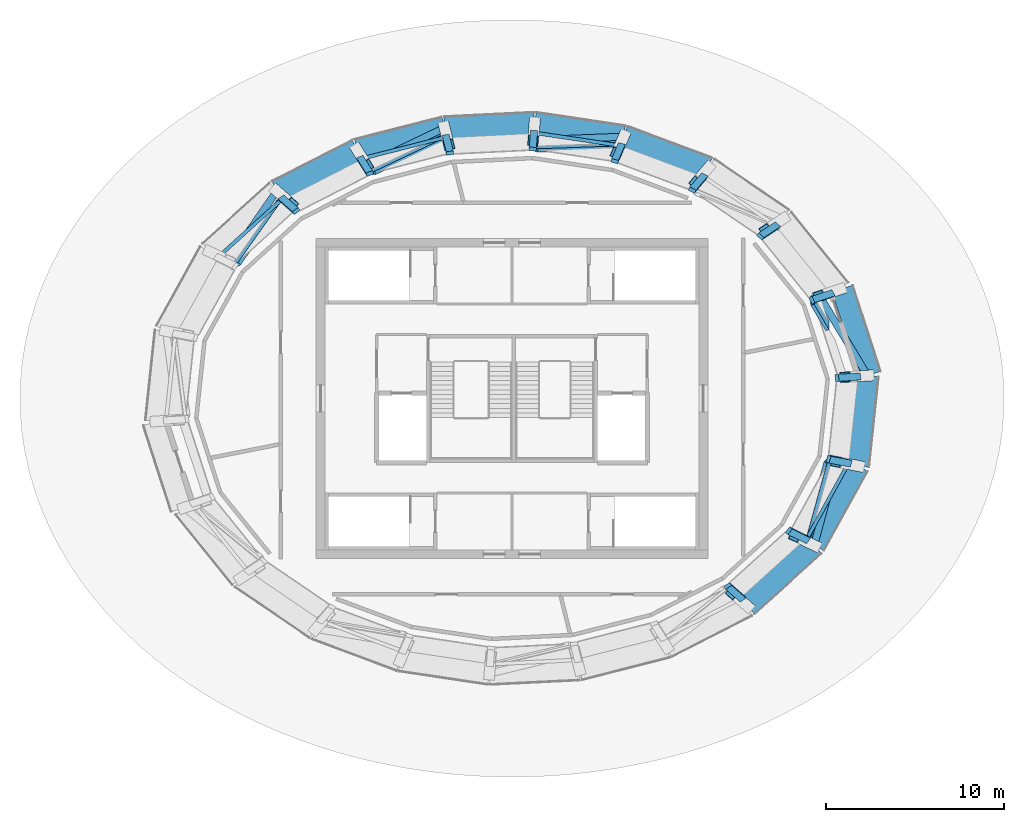
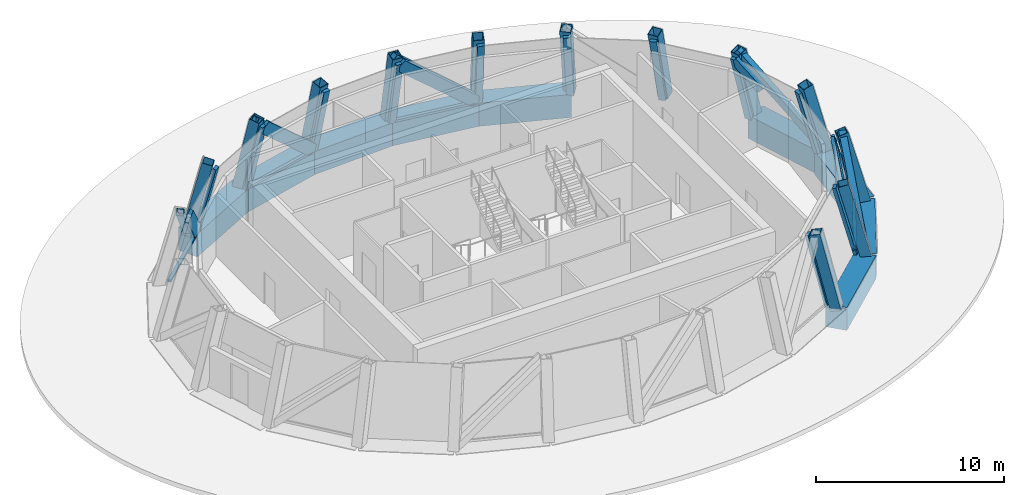
# One storey, part 2 of 9: 38 members, 9 beams, 1 element without a shape of its own.
"""IFC4 building model written with IfcOpenShell, lengths in metres."""

from ifc_helpers import new_model, si_unit, direction, frame, origin, origin_2d, place, context, subcontext, project, spatial, rectangle, hollow_rectangle, extrude, source, transform, mapped, material, material_profile, profile_set, type_object, element, aggregate, save


model = new_model("IFC4")

# Units and contexts
model_context = context("Model", 3, precision=1e-05, world=origin(), true_north=direction((0.0, 1.0)))
body_context = subcontext(model_context, "Body", "Model", "MODEL_VIEW")
ifc_project = project(units=[si_unit("LENGTHUNIT", "METRE"), si_unit("AREAUNIT", "SQUARE_METRE"), si_unit("VOLUMEUNIT", "CUBIC_METRE"), si_unit("PLANEANGLEUNIT", "RADIAN"), si_unit("MASSUNIT", "GRAM", prefix="KILO")], contexts=[model_context])

# Site, building, storey
site_placement = place(None, origin())
site = spatial("IfcSite", under=ifc_project, at=site_placement, CompositionType="ELEMENT")
building_placement = place(site_placement, origin())
building = spatial("IfcBuilding", under=site, at=building_placement, Name="Embergate Tower", CompositionType="ELEMENT")
storey_placement = place(building_placement, frame((0.0, 0.0, 352.0)))
storey = spatial("IfcBuildingStorey", under=building, at=storey_placement, Name="L80", CompositionType="ELEMENT", Elevation=352.0)

# Beams
ifc_material_1 = material(Name="Concrete C70", Category="concrete")
ifc_material_profile_1 = material_profile(ifc_material_1, rectangle(XDim=1.199951171875, YDim=1.5, at=origin_2d()), Name="RC 1200x1500")
ifc_profile_set_1 = profile_set([ifc_material_profile_1], Name="Concrete C70")
beam_type = type_object("IfcBeamType", Name="Crown cornice beam RC 1200x1500", PredefinedType="BEAM", material=ifc_profile_set_1)
shared_shape_1 = source(origin(), body_context, "Body", "SweptSolid", [
    extrude(rectangle(XDim=1.199951171875, YDim=1.5, at=origin_2d()), origin(), (0.0, 0.0, 1.0), 5.09375),
])
beam_1_placement = place(storey_placement, frame((20.114990234375, 1.327880859375, -0.75), z_axis=(-0.307414458882, 0.951575719777, 0.0), x_axis=(-0.951575719777, -0.307414458882, 0.0)))
element("IfcBeam", 1, at=beam_1_placement, inside=storey, type_object=beam_type, Name="CRN-L80-RB00", PredefinedType="BEAM", context=body_context, shape_type="MappedRepresentation", body=[
    mapped(shared_shape_1, transform((0.0, 0.0, 0.0))),
])
shared_shape_2 = source(origin(), body_context, "Body", "SweptSolid", [
    extrude(rectangle(XDim=1.199951171875, YDim=1.5, at=origin_2d()), origin(), (0.0, 0.0, 1.0), 5.064453125),
])
beam_2_placement = place(storey_placement, frame((11.01708984375, 12.93701171875, -0.75), z_axis=(-0.93693793686, 0.349495783198, 0.0), x_axis=(-0.349495783198, -0.93693793686, 0.0)))
element("IfcBeam", 2, at=beam_2_placement, inside=storey, type_object=beam_type, Name="CRN-L80-RB03", PredefinedType="BEAM", context=body_context, shape_type="MappedRepresentation", body=[
    mapped(shared_shape_2, transform((0.0, 0.0, 0.0))),
])
shared_shape_3 = source(origin(), body_context, "Body", "SweptSolid", [
    extrude(rectangle(XDim=1.199951171875, YDim=1.5, at=origin_2d()), origin(), (0.0, 0.0, 1.0), 5.06103515625),
])
beam_3_placement = place(storey_placement, frame((6.27197265625, 14.70703125, -0.75), z_axis=(-0.989081652244, 0.147368535291, 0.0), x_axis=(-0.147368535291, -0.989081652244, 0.0)))
element("IfcBeam", 3, at=beam_3_placement, inside=storey, type_object=beam_type, Name="CRN-L80-RB04", PredefinedType="BEAM", context=body_context, shape_type="MappedRepresentation", body=[
    mapped(shared_shape_3, transform((0.0, 0.0, 0.0))),
])
shared_shape_4 = source(origin(), body_context, "Body", "SweptSolid", [
    extrude(rectangle(XDim=1.199951171875, YDim=1.5, at=origin_2d()), origin(), (0.0, 0.0, 1.0), 5.059326171875),
])
beam_4_placement = place(storey_placement, frame((1.26611328125, 15.452880859375, -0.75), z_axis=(-0.998799774364, -0.04897969712, 0.0), x_axis=(0.04897969712, -0.998799774364, 0.0)))
element("IfcBeam", 4, at=beam_4_placement, inside=storey, type_object=beam_type, Name="CRN-L80-RB05", PredefinedType="BEAM", context=body_context, shape_type="MappedRepresentation", body=[
    mapped(shared_shape_4, transform((0.0, 0.0, 0.0))),
])
shared_shape_5 = source(origin(), body_context, "Body", "SweptSolid", [
    extrude(rectangle(XDim=1.199951171875, YDim=1.5, at=origin_2d()), origin(), (0.0, 0.0, 1.0), 5.06201171875),
])
beam_5_placement = place(storey_placement, frame((-3.787109375, 15.205078125, -0.75), z_axis=(-0.968921891841, -0.247366868256, 0.0), x_axis=(0.247366868256, -0.968921891841, 0.0)))
element("IfcBeam", 5, at=beam_5_placement, inside=storey, type_object=beam_type, Name="CRN-L80-RB06", PredefinedType="BEAM", context=body_context, shape_type="MappedRepresentation", body=[
    mapped(shared_shape_5, transform((0.0, 0.0, 0.0))),
])
shared_shape_6 = source(origin(), body_context, "Body", "SweptSolid", [
    extrude(rectangle(XDim=1.199951171875, YDim=1.5, at=origin_2d()), origin(), (0.0, 0.0, 1.0), 5.069091796875),
])
beam_6_placement = place(storey_placement, frame((-8.69189453125, 13.952880859375, -0.75), z_axis=(-0.890736799748, -0.454519475463, 0.0), x_axis=(0.454519475463, -0.890736799748, 0.0)))
element("IfcBeam", 6, at=beam_6_placement, inside=storey, type_object=beam_type, Name="CRN-L80-RB07", PredefinedType="BEAM", context=body_context, shape_type="MappedRepresentation", body=[
    mapped(shared_shape_6, transform((0.0, 0.0, 0.0))),
])
shared_shape_7 = source(origin(), body_context, "Body", "SweptSolid", [
    extrude(rectangle(XDim=1.199951171875, YDim=1.5, at=origin_2d()), origin(), (0.0, 0.0, 1.0), 5.078125),
])
beam_7_placement = place(storey_placement, frame((13.20703125, -11.64892578125, -0.75), z_axis=(0.741193992768, 0.671290894534, 0.0), x_axis=(-0.671290894534, 0.741193992768, 0.0)))
element("IfcBeam", 7, at=beam_7_placement, inside=storey, type_object=beam_type, Name="CRN-L80-RB19", PredefinedType="BEAM", context=body_context, shape_type="MappedRepresentation", body=[
    mapped(shared_shape_7, transform((0.0, 0.0, 0.0))),
])
shared_shape_8 = source(origin(), body_context, "Body", "SweptSolid", [
    extrude(rectangle(XDim=1.199951171875, YDim=1.5, at=origin_2d()), origin(), (0.0, 0.0, 1.0), 5.08935546875),
])
beam_8_placement = place(storey_placement, frame((16.970947265625, -8.239990234375, -0.75), z_axis=(0.483788616394, 0.875184880267, 0.0), x_axis=(-0.875184880267, 0.483788616394, 0.0)))
element("IfcBeam", 8, at=beam_8_placement, inside=storey, type_object=beam_type, Name="CRN-L80-RB20", PredefinedType="BEAM", context=body_context, shape_type="MappedRepresentation", body=[
    mapped(shared_shape_8, transform((0.0, 0.0, 0.0))),
])
shared_shape_9 = source(origin(), body_context, "Body", "SweptSolid", [
    extrude(rectangle(XDim=1.199951171875, YDim=1.5, at=origin_2d()), origin(), (0.0, 0.0, 1.0), 5.096435546875),
])
beam_9_placement = place(storey_placement, frame((19.43310546875, -3.785888671875, -0.75), z_axis=(0.105724576616, 0.994395451468, 0.0), x_axis=(-0.994395451468, 0.105724576616, 0.0)))
element("IfcBeam", 9, at=beam_9_placement, inside=storey, type_object=beam_type, Name="CRN-L80-RB21", PredefinedType="BEAM", context=body_context, shape_type="MappedRepresentation", body=[
    mapped(shared_shape_9, transform((0.0, 0.0, 0.0))),
])

# Members
ifc_material_2 = material(Name="Steel Q355D", Category="steel")
ifc_material_profile_2 = material_profile(ifc_material_2, hollow_rectangle(XDim=0.60009765625, YDim=0.60009765625, WallThickness=0.028076171875, at=origin_2d()), Name="BOX 600x600x28")
ifc_profile_set_2 = profile_set([ifc_material_profile_2], Name="Steel Q355 grade D")
member_type_1 = type_object("IfcMemberType", Name="Glass point hip BOX 600x600x28", PredefinedType="MEMBER", material=ifc_profile_set_2)
shared_shape_10 = source(origin(), body_context, "Body", "SweptSolid", [
    extrude(hollow_rectangle(XDim=0.60009765625, YDim=0.60009765625, WallThickness=0.028076171875, at=origin_2d()), origin(), (0.0, 0.0, 1.0), 4.964111328125),
])
member_1_placement = place(storey_placement, frame((20.010986328125, 1.284912109375, -0.14501953125), z_axis=(-0.261892630484, -0.017115236696, 0.964945241333), x_axis=(0.065213001989, -0.997871366646, 0.0)))
element("IfcMember", 10, at=member_1_placement, inside=storey, type_object=member_type_1, Name="CRN-L80-HP00", PredefinedType="MEMBER", context=body_context, shape_type="MappedRepresentation", body=[
    mapped(shared_shape_10, transform((0.0, 0.0, 0.0))),
])
ifc_material_profile_3 = material_profile(ifc_material_2, hollow_rectangle(XDim=0.39990234375, YDim=0.39990234375, WallThickness=0.02197265625, at=origin_2d()), Name="BOX 400x400x22")
ifc_profile_set_3 = profile_set([ifc_material_profile_3], Name="Steel Q355 grade D")
member_type_2 = type_object("IfcMemberType", Name="Glass point brace BOX 400x400x22", PredefinedType="BRACE", material=ifc_profile_set_3)
shared_shape_11 = source(origin(), body_context, "Body", "SweptSolid", [
    extrude(hollow_rectangle(XDim=0.39990234375, YDim=0.39990234375, WallThickness=0.02197265625, at=origin_2d()), origin(), (0.0, 0.0, 1.0), 7.19140625),
])
member_2_placement = place(storey_placement, frame((20.031005859375, 1.18505859375, -0.097900390625), z_axis=(-0.390892906822, 0.648704330688, 0.652981949783), x_axis=(-0.856518423568, -0.516116450124, 0.0)))
element("IfcMember", 11, at=member_2_placement, inside=storey, type_object=member_type_2, Name="CRN-L80-DG00", PredefinedType="BRACE", context=body_context, shape_type="MappedRepresentation", body=[
    mapped(shared_shape_11, transform((0.0, 0.0, 0.0))),
])
shared_shape_12 = source(origin(), body_context, "Body", "SweptSolid", [
    extrude(hollow_rectangle(XDim=0.60009765625, YDim=0.60009765625, WallThickness=0.028076171875, at=origin_2d()), origin(), (0.0, 0.0, 1.0), 4.9541015625),
])
member_3_placement = place(storey_placement, frame((18.44189453125, 6.14111328125, -0.14501953125), z_axis=(-0.242021443218, -0.080772377405, 0.96690301689), x_axis=(0.316575417601, -0.948567343403, 0.0)))
element("IfcMember", 12, at=member_3_placement, inside=storey, type_object=member_type_1, Name="CRN-L80-HP01", PredefinedType="MEMBER", context=body_context, shape_type="MappedRepresentation", body=[
    mapped(shared_shape_12, transform((0.0, 0.0, 0.0))),
])
shared_shape_13 = source(origin(), body_context, "Body", "SweptSolid", [
    extrude(hollow_rectangle(XDim=0.60009765625, YDim=0.60009765625, WallThickness=0.028076171875, at=origin_2d()), origin(), (0.0, 0.0, 1.0), 4.937255859375),
])
member_4_placement = place(storey_placement, frame((15.241943359375, 10.10400390625, -0.14599609375), z_axis=(-0.200710682198, -0.133065396845, 0.97057138955), x_axis=(0.552566012863, -0.833469136459, 0.0)))
element("IfcMember", 13, at=member_4_placement, inside=storey, type_object=member_type_1, Name="CRN-L80-HP02", PredefinedType="MEMBER", context=body_context, shape_type="MappedRepresentation", body=[
    mapped(shared_shape_13, transform((0.0, 0.0, 0.0))),
])
shared_shape_14 = source(origin(), body_context, "Body", "SweptSolid", [
    extrude(hollow_rectangle(XDim=0.60009765625, YDim=0.60009765625, WallThickness=0.028076171875, at=origin_2d()), origin(), (0.0, 0.0, 1.0), 4.918701171875),
])
member_5_placement = place(storey_placement, frame((11.0390625, 12.962890625, -0.14599609375), z_axis=(-0.145979805997, -0.171790584344, 0.974257610374), x_axis=(0.762031662807, -0.647539763165, 0.0)))
element("IfcMember", 14, at=member_5_placement, inside=storey, type_object=member_type_1, Name="CRN-L80-HP03", PredefinedType="MEMBER", context=body_context, shape_type="MappedRepresentation", body=[
    mapped(shared_shape_14, transform((0.0, 0.0, 0.0))),
])
shared_shape_15 = source(origin(), body_context, "Body", "SweptSolid", [
    extrude(hollow_rectangle(XDim=0.60009765625, YDim=0.60009765625, WallThickness=0.028076171875, at=origin_2d()), origin(), (0.0, 0.0, 1.0), 4.906005859375),
])
member_6_placement = place(storey_placement, frame((6.284912109375, 14.736083984375, -0.14697265625), z_axis=(-0.083555162071, -0.195277222137, 0.977182348083), x_axis=(0.919375128815, -0.393381967706, 0.0)))
element("IfcMember", 15, at=member_6_placement, inside=storey, type_object=member_type_1, Name="CRN-L80-HP04", PredefinedType="MEMBER", context=body_context, shape_type="MappedRepresentation", body=[
    mapped(shared_shape_15, transform((0.0, 0.0, 0.0))),
])
shared_shape_16 = source(origin(), body_context, "Body", "SweptSolid", [
    extrude(hollow_rectangle(XDim=0.39990234375, YDim=0.39990234375, WallThickness=0.02197265625, at=origin_2d()), origin(), (0.0, 0.0, 1.0), 7.091064453125),
])
member_7_placement = place(storey_placement, frame((6.384033203125, 14.7109375, -0.09912109375), z_axis=(-0.748431042054, -0.02933403477, 0.662563574077), x_axis=(0.039163968326, -0.999232797493, 0.0)))
element("IfcMember", 16, at=member_7_placement, inside=storey, type_object=member_type_2, Name="CRN-L80-DG04", PredefinedType="BRACE", context=body_context, shape_type="MappedRepresentation", body=[
    mapped(shared_shape_16, transform((0.0, 0.0, 0.0))),
])
shared_shape_17 = source(origin(), body_context, "Body", "SweptSolid", [
    extrude(hollow_rectangle(XDim=0.60009765625, YDim=0.60009765625, WallThickness=0.028076171875, at=origin_2d()), origin(), (0.0, 0.0, 1.0), 4.8994140625),
])
member_8_placement = place(storey_placement, frame((1.26904296875, 15.48388671875, -0.14697265625), z_axis=(-0.016942314745, -0.205699633137, 0.978468506851), x_axis=(0.996625218581, -0.082086379437, 0.0)))
element("IfcMember", 17, at=member_8_placement, inside=storey, type_object=member_type_1, Name="CRN-L80-HP05", PredefinedType="MEMBER", context=body_context, shape_type="MappedRepresentation", body=[
    mapped(shared_shape_17, transform((0.0, 0.0, 0.0))),
])
shared_shape_18 = source(origin(), body_context, "Body", "SweptSolid", [
    extrude(hollow_rectangle(XDim=0.60009765625, YDim=0.60009765625, WallThickness=0.028076171875, at=origin_2d()), origin(), (0.0, 0.0, 1.0), 4.901611328125),
])
member_9_placement = place(storey_placement, frame((-3.794921875, 15.235107421875, -0.14697265625), z_axis=(0.050555337274, -0.202221349098, 0.97803409135), x_axis=(0.970142500145, 0.242535625036, 0.0)))
element("IfcMember", 18, at=member_9_placement, inside=storey, type_object=member_type_1, Name="CRN-L80-HP06", PredefinedType="MEMBER", context=body_context, shape_type="MappedRepresentation", body=[
    mapped(shared_shape_18, transform((0.0, 0.0, 0.0))),
])
shared_shape_19 = source(origin(), body_context, "Body", "SweptSolid", [
    extrude(hollow_rectangle(XDim=0.39990234375, YDim=0.39990234375, WallThickness=0.02197265625, at=origin_2d()), origin(), (0.0, 0.0, 1.0), 6.9189453125),
])
member_10_placement = place(storey_placement, frame((-3.68798828125, 15.2529296875, -0.10205078125), z_axis=(-0.660659066049, -0.318244091048, 0.679889915325), x_axis=(0.433980543211, -0.900922243101, 0.0)))
element("IfcMember", 19, at=member_10_placement, inside=storey, type_object=member_type_2, Name="CRN-L80-DG06", PredefinedType="BRACE", context=body_context, shape_type="MappedRepresentation", body=[
    mapped(shared_shape_19, transform((0.0, 0.0, 0.0))),
])
shared_shape_20 = source(origin(), body_context, "Body", "SweptSolid", [
    extrude(hollow_rectangle(XDim=0.60009765625, YDim=0.60009765625, WallThickness=0.028076171875, at=origin_2d()), origin(), (0.0, 0.0, 1.0), 4.910400390625),
])
member_11_placement = place(storey_placement, frame((-8.708984375, 13.98095703125, -0.14599609375), z_axis=(0.115250372801, -0.185305495872, 0.97589918781), x_axis=(0.849161057944, 0.528133977009, 0.0)))
element("IfcMember", 20, at=member_11_placement, inside=storey, type_object=member_type_1, Name="CRN-L80-HP07", PredefinedType="MEMBER", context=body_context, shape_type="MappedRepresentation", body=[
    mapped(shared_shape_20, transform((0.0, 0.0, 0.0))),
])
shared_shape_21 = source(origin(), body_context, "Body", "SweptSolid", [
    extrude(hollow_rectangle(XDim=0.60009765625, YDim=0.60009765625, WallThickness=0.028076171875, at=origin_2d()), origin(), (0.0, 0.0, 1.0), 4.927490234375),
])
for number, where, z_axis, x_axis, name in (
    (21, (-13.23291015625, 11.672119140625, -0.14599609375), (0.174700741221, -0.154039876476, 0.9724974897), (0.661361278395, 0.750067503255, 0.0), "CRN-L80-HP08"),
    (22, (13.23291015625, -11.672119140625, -0.14599609375), (-0.174700741221, 0.154039876476, 0.9724974897), (-0.661361278395, -0.750067503255, 0.0), "CRN-L80-HP19"),
):
    element("IfcMember", number, at=place(storey_placement, frame(where, z_axis=z_axis, x_axis=x_axis)), inside=storey, type_object=member_type_1, Name=name, PredefinedType="MEMBER", context=body_context, shape_type="MappedRepresentation", body=[
        mapped(shared_shape_21, transform((0.0, 0.0, 0.0))),
    ])
shared_shape_22 = source(origin(), body_context, "Body", "SweptSolid", [
    extrude(hollow_rectangle(XDim=0.39990234375, YDim=0.39990234375, WallThickness=0.02197265625, at=origin_2d()), origin(), (0.0, 0.0, 1.0), 6.857421875),
])
member_12_placement = place(storey_placement, frame((-13.14501953125, 11.739013671875, -0.10302734375), z_axis=(-0.415446067722, -0.597019034162, 0.686274608056), x_axis=(0.820822385508, -0.571183518188, 0.0)))
element("IfcMember", 23, at=member_12_placement, inside=storey, type_object=member_type_2, Name="CRN-L80-DG08", PredefinedType="BRACE", context=body_context, shape_type="MappedRepresentation", body=[
    mapped(shared_shape_22, transform((0.0, 0.0, 0.0))),
])
shared_shape_23 = source(origin(), body_context, "Body", "SweptSolid", [
    extrude(hollow_rectangle(XDim=0.60009765625, YDim=0.60009765625, WallThickness=0.028076171875, at=origin_2d()), origin(), (0.0, 0.0, 1.0), 4.945556640625),
])
member_13_placement = place(storey_placement, frame((17.0048828125, -8.256103515625, -0.14501953125), z_axis=(-0.223825088723, 0.108605027611, 0.968559382607), x_axis=(-0.436546124965, -0.899681877542, 0.0)))
element("IfcMember", 24, at=member_13_placement, inside=storey, type_object=member_type_1, Name="CRN-L80-HP20", PredefinedType="MEMBER", context=body_context, shape_type="MappedRepresentation", body=[
    mapped(shared_shape_23, transform((0.0, 0.0, 0.0))),
])
shared_shape_24 = source(origin(), body_context, "Body", "SweptSolid", [
    extrude(hollow_rectangle(XDim=0.60009765625, YDim=0.60009765625, WallThickness=0.028076171875, at=origin_2d()), origin(), (0.0, 0.0, 1.0), 4.96044921875),
])
member_14_placement = place(storey_placement, frame((19.470947265625, -3.79296875, -0.14501953125), z_axis=(-0.255001720994, 0.049563160209, 0.965669516677), x_axis=(-0.190793589866, -0.98163017785, 0.0)))
element("IfcMember", 25, at=member_14_placement, inside=storey, type_object=member_type_1, Name="CRN-L80-HP21", PredefinedType="MEMBER", context=body_context, shape_type="MappedRepresentation", body=[
    mapped(shared_shape_24, transform((0.0, 0.0, 0.0))),
])
shared_shape_25 = source(origin(), body_context, "Body", "SweptSolid", [
    extrude(hollow_rectangle(XDim=0.39990234375, YDim=0.39990234375, WallThickness=0.02197265625, at=origin_2d()), origin(), (0.0, 0.0, 1.0), 6.920166015625),
])
member_15_placement = place(storey_placement, frame((16.94189453125, -8.345947265625, -0.10205078125), z_axis=(0.192341342703, 0.70776816165, 0.679756601469), x_axis=(-0.965000972687, 0.262246301619, 0.0)))
element("IfcMember", 26, at=member_15_placement, inside=storey, type_object=member_type_2, Name="CRN-L80-DG20", PredefinedType="BRACE", context=body_context, shape_type="MappedRepresentation", body=[
    mapped(shared_shape_25, transform((0.0, 0.0, 0.0))),
])

# Curtain wall, members
ifc_material_3 = material(Name="Aluminium and glass", Category="aluminium")
curtain_wall_type = type_object("IfcCurtainWallType", Name="Crown facet glazing", PredefinedType="NOTDEFINED", material=ifc_material_3)
curtain_wall_placement = place(storey_placement, origin())
curtain_wall = element("IfcCurtainWall", 27, at=curtain_wall_placement, inside=storey, type_object=curtain_wall_type, Name="Crown facet glazing L80", ObjectType="CROWN FACET GLAZING", PredefinedType="USERDEFINED")
ifc_material_4 = material(Name="Aluminium, thermally broken", Category="aluminium")
ifc_material_profile_4 = material_profile(ifc_material_4, rectangle(XDim=0.199951171875, YDim=0.39990234375, at=origin_2d()), Name="AL 400x200")
ifc_profile_set_4 = profile_set([ifc_material_profile_4], Name="Aluminium, thermally broken")
member_type_3 = type_object("IfcMemberType", Name="Crown hip mullion", PredefinedType="MULLION", material=ifc_profile_set_4)
shared_shape_26 = source(origin(), body_context, "Body", "SweptSolid", [
    extrude(rectangle(XDim=0.199951171875, YDim=0.39990234375, at=origin_2d()), origin(), (0.0, 0.0, 1.0), 4.66357421875),
])
member_16_placement = place(storey_placement, frame((19.482177734375, 1.231201171875, -0.1337890625), z_axis=(-0.262060611369, -0.016961174208, 0.964902354924), x_axis=(0.959792447084, 0.099658345996, 0.262424603635)))
member_16 = element("IfcMember", 28, at=member_16_placement, type_object=member_type_3, Name="CW hip 1", PredefinedType="MULLION", context=body_context, shape_type="MappedRepresentation", body=[
    mapped(shared_shape_26, transform((0.0, 0.0, 0.0))),
])
ifc_material_profile_5 = material_profile(ifc_material_4, rectangle(XDim=0.199951171875, YDim=0.760009765625, at=origin_2d()), Name="AL 760x200")
ifc_profile_set_5 = profile_set([ifc_material_profile_5], Name="Aluminium, thermally broken")
member_type_4 = type_object("IfcMemberType", Name="Crown diagonal cover mullion", PredefinedType="MULLION", material=ifc_profile_set_5)
shared_shape_27 = source(origin(), body_context, "Body", "SweptSolid", [
    extrude(rectangle(XDim=0.199951171875, YDim=0.760009765625, at=origin_2d()), origin(), (0.0, 0.0, 1.0), 2.1689453125),
])
member_17_placement = place(storey_placement, frame((17.714111328125, 4.097900390625, 2.89990234375), z_axis=(-0.391031934446, 0.658135786041, 0.643390482814), x_axis=(0.920081416483, 0.297244630451, 0.255138818512)))
member_17 = element("IfcMember", 29, at=member_17_placement, type_object=member_type_4, Name="CW diagonal mullion 1", PredefinedType="MULLION", context=body_context, shape_type="MappedRepresentation", body=[
    mapped(shared_shape_27, transform((0.0, 0.0, 0.0))),
])
shared_shape_28 = source(origin(), body_context, "Body", "SweptSolid", [
    extrude(rectangle(XDim=0.199951171875, YDim=0.39990234375, at=origin_2d()), origin(), (0.0, 0.0, 1.0), 4.654296875),
])
member_18_placement = place(storey_placement, frame((17.9736328125, 5.89501953125, -0.127685546875), z_axis=(-0.242136875155, -0.080834689041, 0.966868908766), x_axis=(0.850965399, 0.46100824883, 0.251653102931)))
member_18 = element("IfcMember", 30, at=member_18_placement, type_object=member_type_3, Name="CW hip 2", PredefinedType="MULLION", context=body_context, shape_type="MappedRepresentation", body=[
    mapped(shared_shape_28, transform((0.0, 0.0, 0.0))),
])
shared_shape_29 = source(origin(), body_context, "Body", "SweptSolid", [
    extrude(rectangle(XDim=0.199951171875, YDim=0.39990234375, at=origin_2d()), origin(), (0.0, 0.0, 1.0), 4.636474609375),
])
member_19_placement = place(storey_placement, frame((14.87939453125, 9.72265625, -0.118408203125), z_axis=(-0.200777857695, -0.133062063046, 0.970557952539), x_axis=(0.658429670008, 0.715254200154, 0.234268646676)))
member_19 = element("IfcMember", 31, at=member_19_placement, type_object=member_type_3, Name="CW hip 3", PredefinedType="MULLION", context=body_context, shape_type="MappedRepresentation", body=[
    mapped(shared_shape_29, transform((0.0, 0.0, 0.0))),
])
shared_shape_30 = source(origin(), body_context, "Body", "SweptSolid", [
    extrude(rectangle(XDim=0.199951171875, YDim=0.39990234375, at=origin_2d()), origin(), (0.0, 0.0, 1.0), 4.618896484375),
])
member_20_placement = place(storey_placement, frame((10.79150390625, 12.500732421875, -0.110595703125), z_axis=(-0.145941475413, -0.171683416204, 0.974282243682), x_axis=(0.447930102363, 0.866626885282, 0.219810065973)))
member_20 = element("IfcMember", 32, at=member_20_placement, type_object=member_type_3, Name="CW hip 4", PredefinedType="MULLION", context=body_context, shape_type="MappedRepresentation", body=[
    mapped(shared_shape_30, transform((0.0, 0.0, 0.0))),
])
shared_shape_31 = source(origin(), body_context, "Body", "SweptSolid", [
    extrude(rectangle(XDim=0.199951171875, YDim=0.39990234375, at=origin_2d()), origin(), (0.0, 0.0, 1.0), 4.605224609375),
])
member_21_placement = place(storey_placement, frame((6.1494140625, 14.231201171875, -0.105712890625), z_axis=(-0.083392314199, -0.195412632, 0.977169189643), x_axis=(0.244231524189, 0.946670598292, 0.210156467711)))
member_21 = element("IfcMember", 33, at=member_21_placement, type_object=member_type_3, Name="CW hip 5", PredefinedType="MULLION", context=body_context, shape_type="MappedRepresentation", body=[
    mapped(shared_shape_31, transform((0.0, 0.0, 0.0))),
])
ifc_material_profile_6 = material_profile(ifc_material_4, rectangle(XDim=0.199951171875, YDim=0.139892578125, at=origin_2d()), Name="AL 140x200")
ifc_profile_set_6 = profile_set([ifc_material_profile_6], Name="Aluminium, thermally broken")
member_type_5 = type_object("IfcMemberType", Name="Crown facet transom", PredefinedType="USERDEFINED", material=ifc_profile_set_6)
shared_shape_32 = source(origin(), body_context, "Body", "SweptSolid", [
    extrude(rectangle(XDim=0.199951171875, YDim=0.139892578125, at=origin_2d()), origin(), (0.0, 0.0, 1.0), 4.6494140625),
])
member_22_placement = place(storey_placement, frame((5.9873046875, 14.218017578125, 0.070068359375), z_axis=(-0.989077639815, 0.147395462676, 0.0), x_axis=(-0.147395462676, -0.989077639815, 0.0)))
member_22 = element("IfcMember", 34, at=member_22_placement, type_object=member_type_5, Name="CW transom 5.1", ObjectType="TRANSOM", PredefinedType="USERDEFINED", context=body_context, shape_type="MappedRepresentation", body=[
    mapped(shared_shape_32, transform((0.0, 0.0, 0.0))),
])
shared_shape_33 = source(origin(), body_context, "Body", "SweptSolid", [
    extrude(rectangle(XDim=0.199951171875, YDim=0.760009765625, at=origin_2d()), origin(), (0.0, 0.0, 1.0), 6.4765625),
])
member_23_placement = place(storey_placement, frame((6.100341796875, 14.19921875, 0.07861328125), z_axis=(-0.755454731711, -0.026688386311, 0.65465706929), x_axis=(0.1442399293, 0.967882981257, 0.205906234458)))
member_23 = element("IfcMember", 35, at=member_23_placement, type_object=member_type_4, Name="CW diagonal mullion 5", PredefinedType="MULLION", context=body_context, shape_type="MappedRepresentation", body=[
    mapped(shared_shape_33, transform((0.0, 0.0, 0.0))),
])
shared_shape_34 = source(origin(), body_context, "Body", "SweptSolid", [
    extrude(rectangle(XDim=0.199951171875, YDim=0.39990234375, at=origin_2d()), origin(), (0.0, 0.0, 1.0), 4.59912109375),
])
member_24_placement = place(storey_placement, frame((1.24169921875, 14.962158203125, -0.103515625), z_axis=(-0.016721915447, -0.205706102724, 0.978470938171), x_axis=(0.048247596017, 0.977301760485, 0.206284847799)))
member_24 = element("IfcMember", 36, at=member_24_placement, type_object=member_type_3, Name="CW hip 6", PredefinedType="MULLION", context=body_context, shape_type="MappedRepresentation", body=[
    mapped(shared_shape_34, transform((0.0, 0.0, 0.0))),
])
shared_shape_35 = source(origin(), body_context, "Body", "SweptSolid", [
    extrude(rectangle(XDim=0.199951171875, YDim=0.39990234375, at=origin_2d()), origin(), (0.0, 0.0, 1.0), 4.60107421875),
])
member_25_placement = place(storey_placement, frame((-3.7138671875, 14.718994140625, -0.104248046875), z_axis=(0.050460906305, -0.202321173229, 0.978018322833), x_axis=(-0.145831644446, 0.96727744167, 0.207623414657)))
member_25 = element("IfcMember", 37, at=member_25_placement, type_object=member_type_3, Name="CW hip 7", PredefinedType="MULLION", context=body_context, shape_type="MappedRepresentation", body=[
    mapped(shared_shape_35, transform((0.0, 0.0, 0.0))),
])
shared_shape_36 = source(origin(), body_context, "Body", "SweptSolid", [
    extrude(rectangle(XDim=0.199951171875, YDim=0.139892578125, at=origin_2d()), origin(), (0.0, 0.0, 1.0), 4.650390625),
])
member_26_placement = place(storey_placement, frame((-3.850830078125, 14.645751953125, 0.070068359375), z_axis=(-0.968932434675, -0.247325568907, 0.0), x_axis=(0.247325568907, -0.968932434675, 0.0)))
member_26 = element("IfcMember", 38, at=member_26_placement, type_object=member_type_5, Name="CW transom 7.1", ObjectType="TRANSOM", PredefinedType="USERDEFINED", context=body_context, shape_type="MappedRepresentation", body=[
    mapped(shared_shape_36, transform((0.0, 0.0, 0.0))),
])
shared_shape_37 = source(origin(), body_context, "Body", "SweptSolid", [
    extrude(rectangle(XDim=0.199951171875, YDim=0.760009765625, at=origin_2d()), origin(), (0.0, 0.0, 1.0), 6.30517578125),
])
member_27_placement = place(storey_placement, frame((-3.740966796875, 14.67138671875, 0.08056640625), z_axis=(-0.668949537456, -0.318482863254, 0.671621308589), x_axis=(-0.241856118801, 0.947650229117, 0.208481800293)))
member_27 = element("IfcMember", 39, at=member_27_placement, type_object=member_type_4, Name="CW diagonal mullion 7", PredefinedType="MULLION", context=body_context, shape_type="MappedRepresentation", body=[
    mapped(shared_shape_37, transform((0.0, 0.0, 0.0))),
])
shared_shape_38 = source(origin(), body_context, "Body", "SweptSolid", [
    extrude(rectangle(XDim=0.199951171875, YDim=0.39990234375, at=origin_2d()), origin(), (0.0, 0.0, 1.0), 4.611083984375),
])
member_28_placement = place(storey_placement, frame((-8.5185546875, 13.493408203125, -0.10791015625), z_axis=(0.1153697299, -0.185205743547, 0.975904020885), x_axis=(-0.344790460123, 0.91391309982, 0.214201738052)))
member_28 = element("IfcMember", 40, at=member_28_placement, type_object=member_type_3, Name="CW hip 8", PredefinedType="MULLION", context=body_context, shape_type="MappedRepresentation", body=[
    mapped(shared_shape_38, transform((0.0, 0.0, 0.0))),
])
shared_shape_39 = source(origin(), body_context, "Body", "SweptSolid", [
    extrude(rectangle(XDim=0.199951171875, YDim=0.39990234375, at=origin_2d()), origin(), (0.0, 0.0, 1.0), 4.62744140625),
])
member_29_placement = place(storey_placement, frame((-12.92822265625, 11.24462890625, -0.1142578125), z_axis=(0.174845940811, -0.154058583937, 0.972468431209), x_axis=(-0.553026534691, 0.801798416171, 0.226452979122)))
member_29 = element("IfcMember", 41, at=member_29_placement, type_object=member_type_3, Name="CW hip 9", PredefinedType="MULLION", context=body_context, shape_type="MappedRepresentation", body=[
    mapped(shared_shape_39, transform((0.0, 0.0, 0.0))),
])
member_30_placement = place(storey_placement, frame((12.92822265625, -11.24462890625, -0.1142578125), z_axis=(-0.174845940811, 0.154058583937, 0.972468431209), x_axis=(0.553026534691, -0.801798416171, 0.226452979122)))
member_30 = element("IfcMember", 42, at=member_30_placement, type_object=member_type_3, Name="CW hip 20", PredefinedType="MULLION", context=body_context, shape_type="MappedRepresentation", body=[
    mapped(shared_shape_39, transform((0.0, 0.0, 0.0))),
])
shared_shape_40 = source(origin(), body_context, "Body", "SweptSolid", [
    extrude(rectangle(XDim=0.199951171875, YDim=0.139892578125, at=origin_2d()), origin(), (0.0, 0.0, 1.0), 4.66552734375),
])
member_31_placement = place(storey_placement, frame((-12.995361328125, 11.124755859375, 0.070068359375), z_axis=(-0.741198478341, -0.671285941835, 0.0), x_axis=(0.671285941835, -0.741198478341, 0.0)))
member_31 = element("IfcMember", 43, at=member_31_placement, type_object=member_type_5, Name="CW transom 9.1", ObjectType="TRANSOM", PredefinedType="USERDEFINED", context=body_context, shape_type="MappedRepresentation", body=[
    mapped(shared_shape_40, transform((0.0, 0.0, 0.0))),
])
shared_shape_41 = source(origin(), body_context, "Body", "SweptSolid", [
    extrude(rectangle(XDim=0.199951171875, YDim=0.760009765625, at=origin_2d()), origin(), (0.0, 0.0, 1.0), 6.23583984375),
])
member_32_placement = place(storey_placement, frame((-12.910400390625, 11.197998046875, 0.081298828125), z_axis=(-0.424042350443, -0.601552092564, 0.676995690505), x_axis=(-0.653013254286, 0.721042812732, 0.231669920221)))
member_32 = element("IfcMember", 44, at=member_32_placement, type_object=member_type_4, Name="CW diagonal mullion 9", PredefinedType="MULLION", context=body_context, shape_type="MappedRepresentation", body=[
    mapped(shared_shape_41, transform((0.0, 0.0, 0.0))),
])
shared_shape_42 = source(origin(), body_context, "Body", "SweptSolid", [
    extrude(rectangle(XDim=0.199951171875, YDim=0.39990234375, at=origin_2d()), origin(), (0.0, 0.0, 1.0), 4.64599609375),
])
member_33_placement = place(storey_placement, frame((16.5859375, -7.934814453125, -0.123046875), z_axis=(-0.223599415582, 0.108725544263, 0.968597985429), x_axis=(0.760049525283, -0.602680259836, 0.243107432057)))
member_33 = element("IfcMember", 45, at=member_33_placement, type_object=member_type_3, Name="CW hip 21", PredefinedType="MULLION", context=body_context, shape_type="MappedRepresentation", body=[
    mapped(shared_shape_42, transform((0.0, 0.0, 0.0))),
])
shared_shape_43 = source(origin(), body_context, "Body", "SweptSolid", [
    extrude(rectangle(XDim=0.199951171875, YDim=0.39990234375, at=origin_2d()), origin(), (0.0, 0.0, 1.0), 4.66015625),
])
member_34_placement = place(storey_placement, frame((18.963623046875, -3.637939453125, -0.131591796875), z_axis=(-0.255131916946, 0.049769059774, 0.96562453658), x_axis=(0.921250895029, -0.290740388455, 0.258392753246)))
member_34 = element("IfcMember", 46, at=member_34_placement, type_object=member_type_3, Name="CW hip 22", PredefinedType="MULLION", context=body_context, shape_type="MappedRepresentation", body=[
    mapped(shared_shape_43, transform((0.0, 0.0, 0.0))),
])
shared_shape_44 = source(origin(), body_context, "Body", "SweptSolid", [
    extrude(rectangle(XDim=0.199951171875, YDim=0.139892578125, at=origin_2d()), origin(), (0.0, 0.0, 1.0), 4.675537109375),
])
member_35_placement = place(storey_placement, frame((16.59912109375, -7.808837890625, 0.070068359375), z_axis=(0.48377979273, 0.875189757793, 0.0), x_axis=(-0.875189757793, 0.48377979273, 0.0)))
member_35 = element("IfcMember", 47, at=member_35_placement, type_object=member_type_5, Name="CW transom 21.1", ObjectType="TRANSOM", PredefinedType="USERDEFINED", context=body_context, shape_type="MappedRepresentation", body=[
    mapped(shared_shape_44, transform((0.0, 0.0, 0.0))),
])
shared_shape_45 = source(origin(), body_context, "Body", "SweptSolid", [
    extrude(rectangle(XDim=0.199951171875, YDim=0.760009765625, at=origin_2d()), origin(), (0.0, 0.0, 1.0), 6.292236328125),
])
member_36_placement = place(storey_placement, frame((16.54248046875, -7.906005859375, 0.080322265625), z_axis=(0.199237523047, 0.715237487801, 0.66988039638), x_axis=(0.847774572023, -0.468667035602, 0.248252864578)))
member_36 = element("IfcMember", 48, at=member_36_placement, type_object=member_type_4, Name="CW diagonal mullion 21", PredefinedType="MULLION", context=body_context, shape_type="MappedRepresentation", body=[
    mapped(shared_shape_45, transform((0.0, 0.0, 0.0))),
])
aggregate(curtain_wall, [member_16, member_17, member_18, member_19, member_20, member_21, member_22, member_23, member_24, member_25, member_26, member_27, member_28, member_29, member_31, member_32, member_30, member_33, member_35, member_36, member_34])

save(model, "model.ifc")
